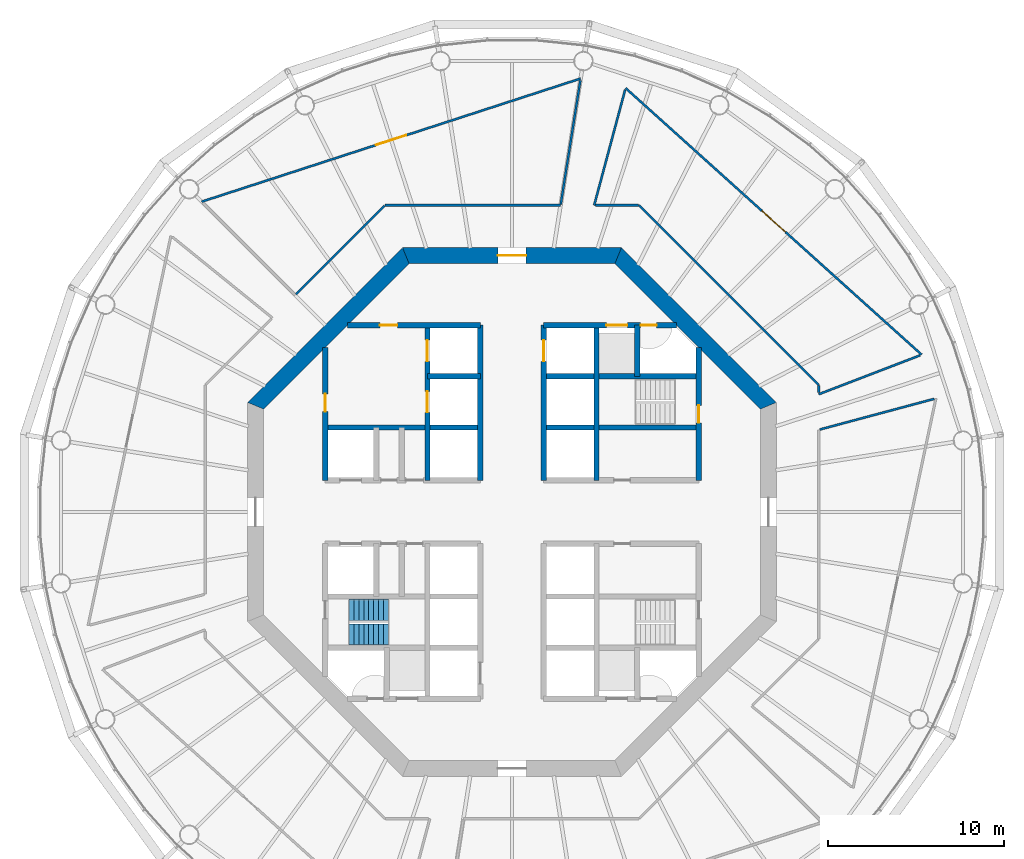
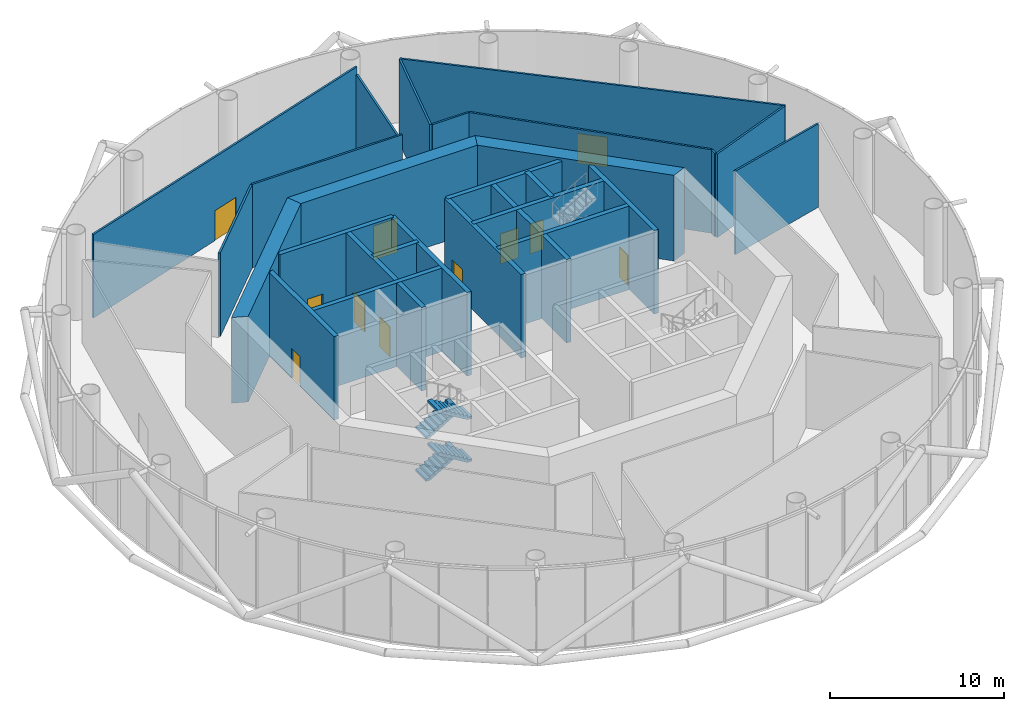
# One storey, part 5 of 14: 27 walls, 11 doors, 4 stair flights, 11 openings, 1 element without a shape of its own.
"""IFC4 building model written with IfcOpenShell, lengths in metres."""

from ifc_helpers import new_model, si_unit, direction, frame, frame_2d, origin, place, context, subcontext, project, spatial, polyline, rectangle, outline, extrude, material, layer, layer_set, type_object, element, fill, aggregate, save


model = new_model("IFC4")

# Units and contexts
model_context = context("Model", 3, precision=1e-05, world=origin(), true_north=direction((0.0, 1.0)))
body_context = subcontext(model_context, "Body", "Model", "MODEL_VIEW")
ifc_project = project(units=[si_unit("LENGTHUNIT", "METRE"), si_unit("AREAUNIT", "SQUARE_METRE"), si_unit("VOLUMEUNIT", "CUBIC_METRE"), si_unit("PLANEANGLEUNIT", "RADIAN"), si_unit("MASSUNIT", "GRAM", prefix="KILO")], contexts=[model_context])

# Site, building, storey
site_placement = place(None, origin())
site = spatial("IfcSite", under=ifc_project, at=site_placement, CompositionType="ELEMENT")
building_placement = place(site_placement, origin())
building = spatial("IfcBuilding", under=site, at=building_placement, Name="Entoto Ring Tower", CompositionType="ELEMENT")
storey_placement = place(building_placement, frame((0.0, 0.0, 262.0)))
storey = spatial("IfcBuildingStorey", under=building, at=storey_placement, Name="L60", CompositionType="ELEMENT", Elevation=262.0)

# Wall, opening, door
ifc_material_1 = material(Name="Concrete C40/50", Category="concrete")
ifc_layer_1 = layer(ifc_material_1, 0.300048828125)
ifc_layer_set_1 = layer_set([ifc_layer_1], Name="Concrete C40/50")
wall_type_1 = type_object("IfcWallType", Name="Core enclosure wall 300 mm reinforced concrete", PredefinedType="SOLIDWALL", material=ifc_layer_set_1)
wall_1_placement = place(storey_placement, frame((100.60009765625, 81.800048828125, 0.0), z_axis=(0.0, 0.0, 1.0), x_axis=(0.0, 1.0, 0.0)))
wall_1 = element("IfcWall", 1, at=wall_1_placement, inside=storey, type_object=wall_type_1, Name="wall-L60-002", PredefinedType="SOLIDWALL", context=body_context, shape_type="SweptSolid", body=[
    extrude(rectangle(XDim=7.540283203125, YDim=0.300048828125, at=frame_2d((3.77001953125, 0.0))), origin(), (0.0, 0.0, 1.0), 5.85009765625),
])
opening_1_placement = place(wall_1_placement, frame((3.25, 0.0, 0.0)))
opening_1 = element("IfcOpeningElement", 2, at=opening_1_placement, cuts=wall_1, Name="Opening K-59", PredefinedType="OPENING", context=body_context, shape_type="SweptSolid", body=[
    extrude(rectangle(XDim=1.0, YDim=2.10009765625, at=frame_2d((0.5, 1.050048828125))), frame((0.0, 0.16015625, 0.0), z_axis=(0.0, -1.0, 0.0), x_axis=(1.0, 0.0, 0.0)), (0.0, 0.0, 1.0), 0.320068359375),
])
ifc_material_2 = material(Name="Steel door leaf, fire rated", Category="steel")
ifc_layer_2 = layer(ifc_material_2, 0.050048828125)
ifc_layer_set_2 = layer_set([ifc_layer_2], Name="Steel door leaf, fire rated")
door_type_1 = type_object("IfcDoorType", Name="Fire door FD60 1000 x 2100 single leaf", OperationType="NOTDEFINED", PredefinedType="DOOR", material=ifc_layer_set_2)
door_1_placement = place(opening_1_placement, origin())
door_1 = element("IfcDoor", 3, at=door_1_placement, inside=storey, type_object=door_type_1, Name="Door K-59", OperationType="SINGLE_SWING_RIGHT", OverallHeight=2.10009765625, OverallWidth=1.0, PredefinedType="DOOR", context=body_context, shape_type="SweptSolid", body=[
    extrude(rectangle(XDim=1.0, YDim=2.10009765625, at=frame_2d((0.5, 1.050048828125))), frame((0.0, 0.02490234375, 0.0), z_axis=(0.0, -1.0, 0.0), x_axis=(1.0, 0.0, 0.0)), (0.0, 0.0, 1.0), 0.050048828125),
])
fill(opening_1, door_1)

# Walls
wall_2_placement = place(storey_placement, frame((97.10009765625, 87.699951171875, 0.0), z_axis=(0.0, 0.0, 1.0), x_axis=(0.0, 1.0, 0.0)))
element("IfcWall", 4, at=wall_2_placement, inside=storey, type_object=wall_type_1, Name="wall-L60-004", PredefinedType="SOLIDWALL", context=body_context, shape_type="SweptSolid", body=[
    extrude(rectangle(XDim=2.900146484375, YDim=0.300048828125, at=frame_2d((1.4501953125, 0.0))), origin(), (0.0, 0.0, 1.0), 5.85009765625),
])
wall_3_placement = place(storey_placement, frame((94.800048828125, 81.800048828125, 0.0), z_axis=(0.0, 0.0, 1.0), x_axis=(0.0, 1.0, 0.0)))
element("IfcWall", 5, at=wall_3_placement, inside=storey, type_object=wall_type_1, Name="wall-L60-006", PredefinedType="SOLIDWALL", context=body_context, shape_type="SweptSolid", body=[
    extrude(rectangle(XDim=8.800048828125, YDim=0.300048828125, at=frame_2d((4.39990234375, 0.0))), origin(), (0.0, 0.0, 1.0), 5.85009765625),
])

# Wall, opening, door
wall_4_placement = place(storey_placement, frame((91.800048828125, 81.800048828125, 0.0), z_axis=(0.0, 0.0, 1.0), x_axis=(0.0, 1.0, 0.0)))
wall_4 = element("IfcWall", 6, at=wall_4_placement, inside=storey, type_object=wall_type_1, Name="wall-L60-008", PredefinedType="SOLIDWALL", context=body_context, shape_type="SweptSolid", body=[
    extrude(rectangle(XDim=8.800048828125, YDim=0.300048828125, at=frame_2d((4.39990234375, 0.0))), origin(), (0.0, 0.0, 1.0), 5.85009765625),
])
opening_2_placement = place(wall_4_placement, frame((6.75, 0.0, 0.0)))
opening_2 = element("IfcOpeningElement", 7, at=opening_2_placement, cuts=wall_4, Name="Opening LD", PredefinedType="OPENING", context=body_context, shape_type="SweptSolid", body=[
    extrude(rectangle(XDim=1.199951171875, YDim=2.10009765625, at=frame_2d((0.60009765625, 1.050048828125))), frame((0.0, 0.16015625, 0.0), z_axis=(0.0, -1.0, 0.0), x_axis=(1.0, 0.0, 0.0)), (0.0, 0.0, 1.0), 0.320068359375),
])
ifc_material_3 = material(Name="Steel and glass door leaf", Category="steel")
ifc_layer_3 = layer(ifc_material_3, 0.050048828125)
ifc_layer_set_3 = layer_set([ifc_layer_3], Name="Steel and glass door leaf")
door_type_2 = type_object("IfcDoorType", Name="Landing door 1200 x 2100 sliding", OperationType="DOUBLE_DOOR_SLIDING", PredefinedType="DOOR", material=ifc_layer_set_3)
door_2_placement = place(opening_2_placement, origin())
door_2 = element("IfcDoor", 8, at=door_2_placement, inside=storey, type_object=door_type_2, Name="Landing door SH3", OperationType="SLIDING_TO_RIGHT", OverallHeight=2.10009765625, OverallWidth=1.199951171875, PredefinedType="DOOR", context=body_context, shape_type="SweptSolid", body=[
    extrude(rectangle(XDim=1.199951171875, YDim=2.10009765625, at=frame_2d((0.60009765625, 1.050048828125))), frame((0.0, 0.02490234375, 0.0), z_axis=(0.0, -1.0, 0.0), x_axis=(1.0, 0.0, 0.0)), (0.0, 0.0, 1.0), 0.050048828125),
])
fill(opening_2, door_2)

# Wall
wall_5_placement = place(storey_placement, frame((88.199951171875, 81.800048828125, 0.0), z_axis=(0.0, 0.0, 1.0), x_axis=(0.0, 1.0, 0.0)))
element("IfcWall", 9, at=wall_5_placement, inside=storey, type_object=wall_type_1, Name="wall-L60-010", PredefinedType="SOLIDWALL", context=body_context, shape_type="SweptSolid", body=[
    extrude(rectangle(XDim=8.800048828125, YDim=0.300048828125, at=frame_2d((4.39990234375, 0.0))), origin(), (0.0, 0.0, 1.0), 5.85009765625),
])

# Wall, openings, doors
wall_6_placement = place(storey_placement, frame((85.199951171875, 81.800048828125, 0.0), z_axis=(0.0, 0.0, 1.0), x_axis=(0.0, 1.0, 0.0)))
wall_6 = element("IfcWall", 10, at=wall_6_placement, inside=storey, type_object=wall_type_1, Name="wall-L60-012", PredefinedType="SOLIDWALL", context=body_context, shape_type="SweptSolid", body=[
    extrude(rectangle(XDim=8.800048828125, YDim=0.300048828125, at=frame_2d((4.39990234375, 0.0))), origin(), (0.0, 0.0, 1.0), 5.85009765625),
])
opening_3_placement = place(wall_6_placement, frame((3.85009765625, 0.0, 0.0)))
opening_3 = element("IfcOpeningElement", 11, at=opening_3_placement, cuts=wall_6, Name="Opening LD", PredefinedType="OPENING", context=body_context, shape_type="SweptSolid", body=[
    extrude(rectangle(XDim=1.199951171875, YDim=2.10009765625, at=frame_2d((0.60009765625, 1.050048828125))), frame((0.0, 0.16015625, 0.0), z_axis=(0.0, -1.0, 0.0), x_axis=(1.0, 0.0, 0.0)), (0.0, 0.0, 1.0), 0.320068359375),
])
opening_4_placement = place(wall_6_placement, frame((6.75, 0.0, 0.0)))
opening_4 = element("IfcOpeningElement", 12, at=opening_4_placement, cuts=wall_6, Name="Opening LD", PredefinedType="OPENING", context=body_context, shape_type="SweptSolid", body=[
    extrude(rectangle(XDim=1.199951171875, YDim=2.10009765625, at=frame_2d((0.60009765625, 1.050048828125))), frame((0.0, 0.16015625, 0.0), z_axis=(0.0, -1.0, 0.0), x_axis=(1.0, 0.0, 0.0)), (0.0, 0.0, 1.0), 0.320068359375),
])
door_3_placement = place(opening_3_placement, origin())
door_3 = element("IfcDoor", 13, at=door_3_placement, inside=storey, type_object=door_type_2, Name="Landing door FF1", OperationType="SLIDING_TO_RIGHT", OverallHeight=2.10009765625, OverallWidth=1.199951171875, PredefinedType="DOOR", context=body_context, shape_type="SweptSolid", body=[
    extrude(rectangle(XDim=1.199951171875, YDim=2.10009765625, at=frame_2d((0.60009765625, 1.050048828125))), frame((0.0, 0.02490234375, 0.0), z_axis=(0.0, -1.0, 0.0), x_axis=(1.0, 0.0, 0.0)), (0.0, 0.0, 1.0), 0.050048828125),
])
fill(opening_3, door_3)
door_4_placement = place(opening_4_placement, origin())
door_4 = element("IfcDoor", 14, at=door_4_placement, inside=storey, type_object=door_type_2, Name="Landing door FF2", OperationType="SLIDING_TO_RIGHT", OverallHeight=2.10009765625, OverallWidth=1.199951171875, PredefinedType="DOOR", context=body_context, shape_type="SweptSolid", body=[
    extrude(rectangle(XDim=1.199951171875, YDim=2.10009765625, at=frame_2d((0.60009765625, 1.050048828125))), frame((0.0, 0.02490234375, 0.0), z_axis=(0.0, -1.0, 0.0), x_axis=(1.0, 0.0, 0.0)), (0.0, 0.0, 1.0), 0.050048828125),
])
fill(opening_4, door_4)

# Wall, opening, door
wall_7_placement = place(storey_placement, frame((79.39990234375, 81.800048828125, 0.0), z_axis=(0.0, 0.0, 1.0), x_axis=(0.0, 1.0, 0.0)))
wall_7 = element("IfcWall", 15, at=wall_7_placement, inside=storey, type_object=wall_type_1, Name="wall-L60-019", PredefinedType="SOLIDWALL", context=body_context, shape_type="SweptSolid", body=[
    extrude(rectangle(XDim=7.540283203125, YDim=0.300048828125, at=frame_2d((3.77001953125, 0.0))), origin(), (0.0, 0.0, 1.0), 5.85009765625),
])
opening_5_placement = place(wall_7_placement, frame((3.89990234375, 0.0, 0.0)))
opening_5 = element("IfcOpeningElement", 16, at=opening_5_placement, cuts=wall_7, Name="Opening K-73", PredefinedType="OPENING", context=body_context, shape_type="SweptSolid", body=[
    extrude(rectangle(XDim=1.0, YDim=2.10009765625, at=frame_2d((0.5, 1.050048828125))), frame((0.0, 0.16015625, 0.0), z_axis=(0.0, -1.0, 0.0), x_axis=(1.0, 0.0, 0.0)), (0.0, 0.0, 1.0), 0.320068359375),
])
door_5_placement = place(opening_5_placement, frame((1.0, 0.0, 0.0), z_axis=(0.0, 0.0, 1.0), x_axis=(-1.0, 0.0, 0.0)))
door_5 = element("IfcDoor", 17, at=door_5_placement, inside=storey, type_object=door_type_1, Name="Door K-73", OperationType="SINGLE_SWING_LEFT", OverallHeight=2.10009765625, OverallWidth=1.0, PredefinedType="DOOR", context=body_context, shape_type="SweptSolid", body=[
    extrude(rectangle(XDim=1.0, YDim=2.10009765625, at=frame_2d((0.5, 1.050048828125))), frame((0.0, 0.02490234375, 0.0), z_axis=(0.0, -1.0, 0.0), x_axis=(1.0, 0.0, 0.0)), (0.0, 0.0, 1.0), 0.050048828125),
])
fill(opening_5, door_5)

# Walls
for number, where, z_axis, x_axis, name in (
    (18, (79.39990234375, 84.800048828125, 0.0), (0.0, 0.0, 1.0), (1.0, 0.0, 0.0), "wall-L60-030"),
    (19, (91.800048828125, 84.800048828125, 0.0), (0.0, 0.0, 1.0), (1.0, 0.0, 0.0), "wall-L60-031"),
):
    element("IfcWall", number, at=place(storey_placement, frame(where, z_axis=z_axis, x_axis=x_axis)), inside=storey, type_object=wall_type_1, Name=name, PredefinedType="SOLIDWALL", context=body_context, shape_type="SweptSolid", body=[
        extrude(rectangle(XDim=8.800048828125, YDim=0.300048828125, at=frame_2d((4.39990234375, 0.0))), origin(), (0.0, 0.0, 1.0), 5.85009765625),
    ])
wall_8_placement = place(storey_placement, frame((85.199951171875, 87.699951171875, 0.0), z_axis=(0.0, 0.0, 1.0), x_axis=(1.0, 0.0, 0.0)))
element("IfcWall", 20, at=wall_8_placement, inside=storey, type_object=wall_type_1, Name="wall-L60-032", PredefinedType="SOLIDWALL", context=body_context, shape_type="SweptSolid", body=[
    extrude(rectangle(XDim=3.0, YDim=0.300048828125, at=frame_2d((1.5, 0.0))), origin(), (0.0, 0.0, 1.0), 5.85009765625),
])
wall_9_placement = place(storey_placement, frame((91.800048828125, 87.699951171875, 0.0), z_axis=(0.0, 0.0, 1.0), x_axis=(1.0, 0.0, 0.0)))
element("IfcWall", 21, at=wall_9_placement, inside=storey, type_object=wall_type_1, Name="wall-L60-033", PredefinedType="SOLIDWALL", context=body_context, shape_type="SweptSolid", body=[
    extrude(rectangle(XDim=8.800048828125, YDim=0.300048828125, at=frame_2d((4.39990234375, 0.0))), origin(), (0.0, 0.0, 1.0), 5.85009765625),
])

# Wall, opening, door
wall_10_placement = place(storey_placement, frame((80.65966796875, 90.60009765625, 0.0), z_axis=(0.0, 0.0, 1.0), x_axis=(1.0, 0.0, 0.0)))
wall_10 = element("IfcWall", 22, at=wall_10_placement, inside=storey, type_object=wall_type_1, Name="wall-L60-034", PredefinedType="SOLIDWALL", context=body_context, shape_type="SweptSolid", body=[
    extrude(rectangle(XDim=7.540283203125, YDim=0.300048828125, at=frame_2d((3.77001953125, 0.0))), origin(), (0.0, 0.0, 1.0), 5.85009765625),
])
opening_6_placement = place(wall_10_placement, frame((1.84033203125, 0.0, 0.0)))
opening_6 = element("IfcOpeningElement", 23, at=opening_6_placement, cuts=wall_10, Name="Opening K-76", PredefinedType="OPENING", context=body_context, shape_type="SweptSolid", body=[
    extrude(rectangle(XDim=1.0, YDim=2.10009765625, at=frame_2d((0.5, 1.050048828125))), frame((0.0, 0.16015625, 0.0), z_axis=(0.0, -1.0, 0.0), x_axis=(1.0, 0.0, 0.0)), (0.0, 0.0, 1.0), 0.320068359375),
])
door_6_placement = place(opening_6_placement, frame((1.0, 0.0, 0.0), z_axis=(0.0, 0.0, 1.0), x_axis=(-1.0, 0.0, 0.0)))
door_6 = element("IfcDoor", 24, at=door_6_placement, inside=storey, type_object=door_type_1, Name="Door K-76", OperationType="SINGLE_SWING_RIGHT", OverallHeight=2.10009765625, OverallWidth=1.0, PredefinedType="DOOR", context=body_context, shape_type="SweptSolid", body=[
    extrude(rectangle(XDim=1.0, YDim=2.10009765625, at=frame_2d((0.5, 1.050048828125))), frame((0.0, 0.02490234375, 0.0), z_axis=(0.0, -1.0, 0.0), x_axis=(1.0, 0.0, 0.0)), (0.0, 0.0, 1.0), 0.050048828125),
])
fill(opening_6, door_6)

# Wall, openings, doors
wall_11_placement = place(storey_placement, frame((91.800048828125, 90.60009765625, 0.0), z_axis=(0.0, 0.0, 1.0), x_axis=(1.0, 0.0, 0.0)))
wall_11 = element("IfcWall", 25, at=wall_11_placement, inside=storey, type_object=wall_type_1, Name="wall-L60-035", PredefinedType="SOLIDWALL", context=body_context, shape_type="SweptSolid", body=[
    extrude(rectangle(XDim=7.540283203125, YDim=0.300048828125, at=frame_2d((3.77001953125, 0.0))), origin(), (0.0, 0.0, 1.0), 5.85009765625),
])
opening_7_placement = place(wall_11_placement, frame((3.550048828125, 0.0, 0.0)))
opening_7 = element("IfcOpeningElement", 26, at=opening_7_placement, cuts=wall_11, Name="Opening LD", PredefinedType="OPENING", context=body_context, shape_type="SweptSolid", body=[
    extrude(rectangle(XDim=1.199951171875, YDim=2.10009765625, at=frame_2d((0.60009765625, 1.050048828125))), frame((0.0, 0.16015625, 0.0), z_axis=(0.0, -1.0, 0.0), x_axis=(1.0, 0.0, 0.0)), (0.0, 0.0, 1.0), 0.320068359375),
])
opening_8_placement = place(wall_11_placement, frame((5.5, 0.0, 0.0)))
opening_8 = element("IfcOpeningElement", 27, at=opening_8_placement, cuts=wall_11, Name="Opening K-66", PredefinedType="OPENING", context=body_context, shape_type="SweptSolid", body=[
    extrude(rectangle(XDim=0.89990234375, YDim=2.10009765625, at=frame_2d((0.449951171875, 1.050048828125))), frame((0.0, 0.16015625, 0.0), z_axis=(0.0, -1.0, 0.0), x_axis=(1.0, 0.0, 0.0)), (0.0, 0.0, 1.0), 0.320068359375),
])
door_7_placement = place(opening_7_placement, origin())
door_7 = element("IfcDoor", 28, at=door_7_placement, inside=storey, type_object=door_type_2, Name="Landing door LB1-HR", OperationType="SLIDING_TO_RIGHT", OverallHeight=2.10009765625, OverallWidth=1.199951171875, PredefinedType="DOOR", context=body_context, shape_type="SweptSolid", body=[
    extrude(rectangle(XDim=1.199951171875, YDim=2.10009765625, at=frame_2d((0.60009765625, 1.050048828125))), frame((0.0, 0.02490234375, 0.0), z_axis=(0.0, -1.0, 0.0), x_axis=(1.0, 0.0, 0.0)), (0.0, 0.0, 1.0), 0.050048828125),
])
fill(opening_7, door_7)
ifc_material_4 = material(Name="Steel door leaf, fire rated", Category="steel")
ifc_layer_4 = layer(ifc_material_4, 0.050048828125)
ifc_layer_set_4 = layer_set([ifc_layer_4], Name="Steel door leaf, fire rated")
door_type_3 = type_object("IfcDoorType", Name="Riser door FD60 900 x 2100 single leaf", OperationType="NOTDEFINED", PredefinedType="DOOR", material=ifc_layer_set_4)
door_8_placement = place(opening_8_placement, frame((0.89990234375, 0.0, 0.0), z_axis=(0.0, 0.0, 1.0), x_axis=(-1.0, 0.0, 0.0)))
door_8 = element("IfcDoor", 29, at=door_8_placement, inside=storey, type_object=door_type_3, Name="Door K-66", OperationType="SINGLE_SWING_LEFT", OverallHeight=2.10009765625, OverallWidth=0.89990234375, PredefinedType="DOOR", context=body_context, shape_type="SweptSolid", body=[
    extrude(rectangle(XDim=0.89990234375, YDim=2.10009765625, at=frame_2d((0.449951171875, 1.050048828125))), frame((0.0, 0.02490234375, 0.0), z_axis=(0.0, -1.0, 0.0), x_axis=(1.0, 0.0, 0.0)), (0.0, 0.0, 1.0), 0.050048828125),
])
fill(opening_8, door_8)

# Wall
ifc_material_5 = material(Name="Concrete C50/60", Category="concrete")
ifc_layer_5 = layer(ifc_material_5, 0.89990234375)
ifc_layer_set_5 = layer_set([ifc_layer_5], Name="Concrete C50/60")
wall_type_2 = type_object("IfcWallType", Name="Core shear wall 900 mm reinforced concrete C50/60", PredefinedType="SHEAR", material=ifc_layer_set_5)
wall_12_placement = place(storey_placement, frame((104.550048828125, 86.02685546875, 0.0), z_axis=(0.0, 0.0, 1.0), x_axis=(-0.707106781187, 0.707106781187, 0.0)))
element("IfcWall", 30, at=wall_12_placement, inside=storey, type_object=wall_type_2, Name="wall-L60-core-1", PredefinedType="SHEAR", context=body_context, shape_type="SweptSolid", body=[
    extrude(outline(polyline([(-0.186279296875, -0.449951171875), (12.239990234375, -0.449951171875), (11.867431640625, 0.449951171875), (0.186279296875, 0.449951171875), (-0.186279296875, -0.449951171875)])), origin(), (0.0, 0.0, 1.0), 6.0),
])

# Wall, opening, door
wall_13_placement = place(storey_placement, frame((96.02685546875, 94.550048828125, 0.0), z_axis=(0.0, 0.0, 1.0), x_axis=(-1.0, 0.0, 0.0)))
wall_13 = element("IfcWall", 31, at=wall_13_placement, inside=storey, type_object=wall_type_2, Name="wall-L60-core-2", PredefinedType="SHEAR", context=body_context, shape_type="SweptSolid", body=[
    extrude(outline(polyline([(-0.186279296875, -0.449951171875), (12.239990234375, -0.449951171875), (11.867431640625, 0.449951171875), (0.186279296875, 0.449951171875), (-0.186279296875, -0.449951171875)])), origin(), (0.0, 0.0, 1.0), 6.0),
])
opening_9_placement = place(wall_13_placement, frame((5.226806640625, 0.0, 0.0)))
opening_9 = element("IfcOpeningElement", 32, at=opening_9_placement, cuts=wall_13, Name="Opening K-02", PredefinedType="OPENING", context=body_context, shape_type="SweptSolid", body=[
    extrude(rectangle(XDim=1.60009765625, YDim=2.39990234375, at=frame_2d((0.800048828125, 1.199951171875))), frame((0.0, 0.4599609375, 0.0), z_axis=(0.0, -1.0, 0.0), x_axis=(1.0, 0.0, 0.0)), (0.0, 0.0, 1.0), 0.919921875),
])
ifc_material_6 = material(Name="Steel door leaf, fire rated", Category="steel")
ifc_layer_6 = layer(ifc_material_6, 0.050048828125)
ifc_layer_set_6 = layer_set([ifc_layer_6], Name="Steel door leaf, fire rated")
door_type_4 = type_object("IfcDoorType", Name="Entrance door FD60 1600 x 2400 double leaf", OperationType="DOUBLE_DOOR_SINGLE_SWING", PredefinedType="DOOR", material=ifc_layer_set_6)
door_9_placement = place(opening_9_placement, origin())
door_9 = element("IfcDoor", 33, at=door_9_placement, inside=storey, type_object=door_type_4, Name="Entrance door K-02", OperationType="DOUBLE_DOOR_SINGLE_SWING", OverallHeight=2.39990234375, OverallWidth=1.60009765625, PredefinedType="DOOR", context=body_context, shape_type="SweptSolid", body=[
    extrude(rectangle(XDim=1.60009765625, YDim=2.39990234375, at=frame_2d((0.800048828125, 1.199951171875))), frame((0.0, 0.02490234375, 0.0), z_axis=(0.0, -1.0, 0.0), x_axis=(1.0, 0.0, 0.0)), (0.0, 0.0, 1.0), 0.050048828125),
])
fill(opening_9, door_9)

# Wall
wall_14_placement = place(storey_placement, frame((83.97314453125, 94.550048828125, 0.0), z_axis=(0.0, 0.0, 1.0), x_axis=(-0.707106781187, -0.707106781187, 0.0)))
element("IfcWall", 34, at=wall_14_placement, inside=storey, type_object=wall_type_2, Name="wall-L60-core-3", PredefinedType="SHEAR", context=body_context, shape_type="SweptSolid", body=[
    extrude(outline(polyline([(-0.186279296875, -0.449951171875), (12.239990234375, -0.449951171875), (11.867431640625, 0.449951171875), (0.186279296875, 0.449951171875), (-0.186279296875, -0.449951171875)])), origin(), (0.0, 0.0, 1.0), 6.0),
])

# Wall, opening, door
ifc_material_7 = material(Name="Fire-resisting plasterboard on steel studs", Category="steel")
ifc_layer_7 = layer(ifc_material_7, 0.125)
ifc_layer_set_7 = layer_set([ifc_layer_7], Name="Fire-resisting plasterboard on steel studs")
wall_type_3 = type_object("IfcWallType", Name="Corridor wall 125 mm one-hour plasterboard on steel studs", PredefinedType="PARTITIONING", material=ifc_layer_set_7)
wall_15_placement = place(storey_placement, frame((113.24609375, 88.92333984375, 0.0), z_axis=(0.0, 0.0, 1.0), x_axis=(-0.743144320321, 0.669131167391, 0.0)))
wall_15 = element("IfcWall", 35, at=wall_15_placement, inside=storey, type_object=wall_type_3, Name="partition-L60-002", PredefinedType="PARTITIONING", context=body_context, shape_type="SweptSolid", body=[
    extrude(rectangle(XDim=22.608642578125, YDim=0.125, at=frame_2d((11.30419921875, 0.0))), origin(), (0.0, 0.0, 1.0), 5.85009765625),
])
opening_10_placement = place(wall_15_placement, frame((10.404296875, 0.0, 0.0)))
opening_10 = element("IfcOpeningElement", 36, at=opening_10_placement, cuts=wall_15, Name="Opening A26-D01", PredefinedType="OPENING", context=body_context, shape_type="SweptSolid", body=[
    extrude(rectangle(XDim=1.800048828125, YDim=2.10009765625, at=frame_2d((0.89990234375, 1.050048828125))), frame((0.0, 0.072509765625, 0.0), z_axis=(0.0, -1.0, 0.0), x_axis=(1.0, 0.0, 0.0)), (0.0, 0.0, 1.0), 0.14501953125),
])
ifc_material_8 = material(Name="Fire-resisting timber door set", Category="wood")
door_type_5 = type_object("IfcDoorType", Name="Door 1800 x 2100 double leaf FD30S fire door", OperationType="DOUBLE_DOOR_SINGLE_SWING", PredefinedType="DOOR", material=ifc_material_8)
door_10_placement = place(opening_10_placement, origin())
door_10 = element("IfcDoor", 37, at=door_10_placement, inside=storey, type_object=door_type_5, Name="Door A26-D01", OperationType="DOUBLE_DOOR_SINGLE_SWING", OverallHeight=2.10009765625, OverallWidth=1.800048828125, PredefinedType="DOOR", context=body_context, shape_type="SweptSolid", body=[
    extrude(rectangle(XDim=1.800048828125, YDim=2.10009765625, at=frame_2d((0.89990234375, 1.050048828125))), frame((0.0, 0.02490234375, 0.0), z_axis=(0.0, -1.0, 0.0), x_axis=(1.0, 0.0, 0.0)), (0.0, 0.0, 1.0), 0.050048828125),
])
fill(opening_10, door_10)

wall_16_placement = place(storey_placement, frame((72.39306640625, 97.60693359375, 0.0), z_axis=(0.0, 0.0, 1.0), x_axis=(0.951055413167, 0.309020389434, 0.0)))
wall_16 = element("IfcWall", 38, at=wall_16_placement, inside=storey, type_object=wall_type_3, Name="partition-L60-005", PredefinedType="PARTITIONING", context=body_context, shape_type="SweptSolid", body=[
    extrude(rectangle(XDim=22.60888671875, YDim=0.125, at=frame_2d((11.304443359375, 0.0))), origin(), (0.0, 0.0, 1.0), 5.85009765625),
])
opening_11_placement = place(wall_16_placement, frame((10.404296875, 0.0, 0.0)))
opening_11 = element("IfcOpeningElement", 39, at=opening_11_placement, cuts=wall_16, Name="Opening A26-D02", PredefinedType="OPENING", context=body_context, shape_type="SweptSolid", body=[
    extrude(rectangle(XDim=1.800048828125, YDim=2.10009765625, at=frame_2d((0.89990234375, 1.050048828125))), frame((0.0, 0.072509765625, 0.0), z_axis=(0.0, -1.0, 0.0), x_axis=(1.0, 0.0, 0.0)), (0.0, 0.0, 1.0), 0.14501953125),
])
door_11_placement = place(opening_11_placement, frame((1.800048828125, 0.0, 0.0), z_axis=(0.0, 0.0, 1.0), x_axis=(-1.0, 0.0, 0.0)))
door_11 = element("IfcDoor", 40, at=door_11_placement, inside=storey, type_object=door_type_5, Name="Door A26-D02", OperationType="DOUBLE_DOOR_SINGLE_SWING", OverallHeight=2.10009765625, OverallWidth=1.800048828125, PredefinedType="DOOR", context=body_context, shape_type="SweptSolid", body=[
    extrude(rectangle(XDim=1.800048828125, YDim=2.10009765625, at=frame_2d((0.89990234375, 1.050048828125))), frame((0.0, 0.02490234375, 0.0), z_axis=(0.0, -1.0, 0.0), x_axis=(1.0, 0.0, 0.0)), (0.0, 0.0, 1.0), 0.050048828125),
])
fill(opening_11, door_11)

# Walls
wall_17_placement = place(storey_placement, frame((107.39990234375, 87.207275390625, 0.0), z_axis=(0.0, 0.0, 1.0), x_axis=(-0.707106781187, 0.707106781187, 0.0)))
element("IfcWall", 41, at=wall_17_placement, inside=storey, type_object=wall_type_3, Name="partition-L60-008", PredefinedType="PARTITIONING", context=body_context, shape_type="SweptSolid", body=[
    extrude(rectangle(XDim=14.41455078125, YDim=0.125, at=frame_2d((7.207275390625, 0.0))), origin(), (0.0, 0.0, 1.0), 5.85009765625),
])
wall_18_placement = place(storey_placement, frame((82.792724609375, 97.39990234375, 0.0), z_axis=(0.0, 0.0, 1.0), x_axis=(1.0, 0.0, 0.0)))
element("IfcWall", 42, at=wall_18_placement, inside=storey, type_object=wall_type_3, Name="partition-L60-011", PredefinedType="PARTITIONING", context=body_context, shape_type="SweptSolid", body=[
    extrude(rectangle(XDim=9.963134765625, YDim=0.125, at=frame_2d((4.9814453125, 0.0))), origin(), (0.0, 0.0, 1.0), 5.85009765625),
])
wall_19_placement = place(storey_placement, frame((77.740478515625, 92.347900390625, 0.0), z_axis=(0.0, 0.0, 1.0), x_axis=(0.707123971719, 0.707089590236, 0.0)))
element("IfcWall", 43, at=wall_19_placement, inside=storey, type_object=wall_type_3, Name="partition-L60-019", PredefinedType="PARTITIONING", context=body_context, shape_type="SweptSolid", body=[
    extrude(rectangle(XDim=7.100830078125, YDim=0.125, at=frame_2d((3.55029296875, 0.0))), origin(), (0.0, 0.0, 1.0), 5.85009765625),
])
wall_20_placement = place(storey_placement, frame((94.662353515625, 97.39990234375, 0.0), z_axis=(0.0, 0.0, 1.0), x_axis=(0.258809233657, 0.965928455204, 0.0)))
element("IfcWall", 44, at=wall_20_placement, inside=storey, type_object=wall_type_3, Name="partition-L60-023", PredefinedType="PARTITIONING", context=body_context, shape_type="SweptSolid", body=[
    extrude(rectangle(XDim=6.784423828125, YDim=0.125, at=frame_2d((3.39208984375, 0.0))), origin(), (0.0, 0.0, 1.0), 5.85009765625),
])
wall_21_placement = place(storey_placement, frame((107.458251953125, 84.677978515625, 0.0), z_axis=(0.0, 0.0, 1.0), x_axis=(0.965928117042, 0.258810495744, 0.0)))
element("IfcWall", 45, at=wall_21_placement, inside=storey, type_object=wall_type_3, Name="partition-L60-024", PredefinedType="PARTITIONING", context=body_context, shape_type="SweptSolid", body=[
    extrude(rectangle(XDim=6.723876953125, YDim=0.125, at=frame_2d((3.36181640625, 0.0))), origin(), (0.0, 0.0, 1.0), 5.85009765625),
])
wall_22_placement = place(storey_placement, frame((107.39990234375, 86.67919921875, 0.0), z_axis=(0.0, 0.0, 1.0), x_axis=(0.933576250822, 0.358378827363, 0.0)))
element("IfcWall", 46, at=wall_22_placement, inside=storey, type_object=wall_type_3, Name="partition-L60-026", PredefinedType="PARTITIONING", context=body_context, shape_type="SweptSolid", body=[
    extrude(rectangle(XDim=6.160400390625, YDim=0.125, at=frame_2d((3.080078125, 0.0))), origin(), (0.0, 0.0, 1.0), 5.85009765625),
])
wall_23_placement = place(storey_placement, frame((94.74365234375, 97.39990234375, 0.0), z_axis=(0.0, 0.0, 1.0), x_axis=(1.0, 0.0, 0.0)))
element("IfcWall", 47, at=wall_23_placement, inside=storey, type_object=wall_type_3, Name="partition-L60-030", PredefinedType="PARTITIONING", context=body_context, shape_type="SweptSolid", body=[
    extrude(rectangle(XDim=2.419677734375, YDim=0.125, at=frame_2d((1.2099609375, 0.0))), origin(), (0.0, 0.0, 1.0), 5.85009765625),
])
wall_24_placement = place(storey_placement, frame((107.39990234375, 86.77001953125, 0.0), z_axis=(0.0, 0.0, 1.0), x_axis=(0.0, 1.0, 0.0)))
element("IfcWall", 48, at=wall_24_placement, inside=storey, type_object=wall_type_3, Name="partition-L60-032", PredefinedType="PARTITIONING", context=body_context, shape_type="SweptSolid", body=[
    extrude(rectangle(XDim=0.393310546875, YDim=0.125, at=frame_2d((0.19677734375, 0.0))), origin(), (0.0, 0.0, 1.0), 5.85009765625),
])
ifc_material_9 = material(Name="Fire-resisting plasterboard on steel studs", Category="steel")
ifc_layer_8 = layer(ifc_material_9, 0.125)
ifc_layer_set_8 = layer_set([ifc_layer_8], Name="Fire-resisting plasterboard on steel studs")
wall_type_4 = type_object("IfcWallType", Name="Corridor wall 125 mm one-hour plasterboard on steel studs, 5350 mm high", PredefinedType="PARTITIONING", material=ifc_layer_set_8)
wall_25_placement = place(storey_placement, frame((92.765380859375, 97.4609375, 0.0), z_axis=(0.0, 0.0, 1.0), x_axis=(0.156469688536, 0.987682761098, 0.0)))
element("IfcWall", 49, at=wall_25_placement, inside=storey, type_object=wall_type_4, Name="partition-L60-018", PredefinedType="PARTITIONING", context=body_context, shape_type="SweptSolid", body=[
    extrude(rectangle(XDim=7.11962890625, YDim=0.125, at=frame_2d((3.559814453125, 0.0))), origin(), (0.0, 0.0, 1.0), 5.35009765625),
])

# Stair, stair flights
ifc_material_10 = material(Name="Concrete C40/50", Category="concrete")
stair_type = type_object("IfcStairType", Name="Exit stair 1200 mm dog-leg reinforced concrete", PredefinedType="HALF_TURN_STAIR", material=ifc_material_10)
stair_placement = place(storey_placement, origin())
stair = element("IfcStair", 50, at=stair_placement, inside=storey, type_object=stair_type, Name="Exit stair 2", PredefinedType="HALF_TURN_STAIR")
ifc_material_11 = material(Name="Concrete C40/50", Category="concrete")
stair_flight_type = type_object("IfcStairFlightType", Name="Stair flight 1200 mm reinforced concrete", PredefinedType="STRAIGHT", material=ifc_material_11)
stair_flight_1_placement = place(storey_placement, frame((80.75, 74.449951171875, 0.0), z_axis=(0.0, 0.0, 1.0), x_axis=(1.0, 0.0, 0.0)))
stair_flight_1 = element("IfcStairFlight", 51, at=stair_flight_1_placement, type_object=stair_flight_type, Name="ST2 flight 1", NumberOfRisers=9, NumberOfTreads=8, PredefinedType="STRAIGHT", RiserHeight=0.166666667, TreadLength=0.28, context=body_context, shape_type="SweptSolid", body=[
    extrude(outline(polyline([(0.0, 0.0), (0.0, 0.166748046875), (0.280029296875, 0.166748046875), (0.280029296875, 0.333251953125), (0.56005859375, 0.333251953125), (0.56005859375, 0.5), (0.840087890625, 0.5), (0.840087890625, 0.666748046875), (1.1201171875, 0.666748046875), (1.1201171875, 0.833251953125), (1.39990234375, 0.833251953125), (1.39990234375, 1.0), (1.679931640625, 1.0), (1.679931640625, 1.166748046875), (1.9599609375, 1.166748046875), (1.9599609375, 1.333251953125), (2.239990234375, 1.333251953125), (2.239990234375, 1.5), (2.239990234375, 1.158935546875), (0.29296875, 0.0), (0.0, 0.0)])), frame((0.0, 0.60009765625, 0.0), z_axis=(0.0, -1.0, 0.0), x_axis=(1.0, 0.0, 0.0)), (0.0, 0.0, 1.0), 1.199951171875),
])
stair_flight_2_placement = place(storey_placement, frame((82.989990234375, 73.050048828125, 1.5), z_axis=(0.0, 0.0, 1.0), x_axis=(-1.0, 0.0, 0.0)))
stair_flight_2 = element("IfcStairFlight", 52, at=stair_flight_2_placement, type_object=stair_flight_type, Name="ST2 flight 2", NumberOfRisers=9, NumberOfTreads=8, PredefinedType="STRAIGHT", RiserHeight=0.166666667, TreadLength=0.28, context=body_context, shape_type="SweptSolid", body=[
    extrude(outline(polyline([(0.0, 0.0), (0.0, 0.166748046875), (0.280029296875, 0.166748046875), (0.280029296875, 0.333251953125), (0.56005859375, 0.333251953125), (0.56005859375, 0.5), (0.840087890625, 0.5), (0.840087890625, 0.666748046875), (1.1201171875, 0.666748046875), (1.1201171875, 0.833251953125), (1.39990234375, 0.833251953125), (1.39990234375, 1.0), (1.679931640625, 1.0), (1.679931640625, 1.166748046875), (1.9599609375, 1.166748046875), (1.9599609375, 1.333251953125), (2.239990234375, 1.333251953125), (2.239990234375, 1.5), (2.239990234375, 1.158935546875), (0.29296875, 0.0), (0.0, 0.0)])), frame((0.0, 0.60009765625, 0.0), z_axis=(0.0, -1.0, 0.0), x_axis=(1.0, 0.0, 0.0)), (0.0, 0.0, 1.0), 1.199951171875),
])
stair_flight_3_placement = place(storey_placement, frame((80.75, 74.449951171875, 3.0), z_axis=(0.0, 0.0, 1.0), x_axis=(1.0, 0.0, 0.0)))
stair_flight_3 = element("IfcStairFlight", 53, at=stair_flight_3_placement, type_object=stair_flight_type, Name="ST2 flight 3", NumberOfRisers=9, NumberOfTreads=8, PredefinedType="STRAIGHT", RiserHeight=0.166666667, TreadLength=0.28, context=body_context, shape_type="SweptSolid", body=[
    extrude(outline(polyline([(0.0, 0.0), (0.0, 0.166748046875), (0.280029296875, 0.166748046875), (0.280029296875, 0.333251953125), (0.56005859375, 0.333251953125), (0.56005859375, 0.5), (0.840087890625, 0.5), (0.840087890625, 0.666748046875), (1.1201171875, 0.666748046875), (1.1201171875, 0.833251953125), (1.39990234375, 0.833251953125), (1.39990234375, 1.0), (1.679931640625, 1.0), (1.679931640625, 1.166748046875), (1.9599609375, 1.166748046875), (1.9599609375, 1.333251953125), (2.239990234375, 1.333251953125), (2.239990234375, 1.5), (2.239990234375, 1.158935546875), (0.29296875, 0.0), (0.0, 0.0)])), frame((0.0, 0.60009765625, 0.0), z_axis=(0.0, -1.0, 0.0), x_axis=(1.0, 0.0, 0.0)), (0.0, 0.0, 1.0), 1.199951171875),
])
stair_flight_4_placement = place(storey_placement, frame((82.989990234375, 73.050048828125, 4.5), z_axis=(0.0, 0.0, 1.0), x_axis=(-1.0, 0.0, 0.0)))
stair_flight_4 = element("IfcStairFlight", 54, at=stair_flight_4_placement, type_object=stair_flight_type, Name="ST2 flight 4", NumberOfRisers=9, NumberOfTreads=8, PredefinedType="STRAIGHT", RiserHeight=0.166666667, TreadLength=0.28, context=body_context, shape_type="SweptSolid", body=[
    extrude(outline(polyline([(0.0, 0.0), (0.0, 0.166748046875), (0.280029296875, 0.166748046875), (0.280029296875, 0.333251953125), (0.56005859375, 0.333251953125), (0.56005859375, 0.5), (0.840087890625, 0.5), (0.840087890625, 0.666748046875), (1.1201171875, 0.666748046875), (1.1201171875, 0.833251953125), (1.39990234375, 0.833251953125), (1.39990234375, 1.0), (1.679931640625, 1.0), (1.679931640625, 1.166748046875), (1.9599609375, 1.166748046875), (1.9599609375, 1.333251953125), (2.239990234375, 1.333251953125), (2.239990234375, 1.5), (2.239990234375, 1.158935546875), (0.29296875, 0.0), (0.0, 0.0)])), frame((0.0, 0.60009765625, 0.0), z_axis=(0.0, -1.0, 0.0), x_axis=(1.0, 0.0, 0.0)), (0.0, 0.0, 1.0), 1.199951171875),
])
aggregate(stair, [stair_flight_1, stair_flight_2, stair_flight_3, stair_flight_4])

save(model, "model.ifc")
